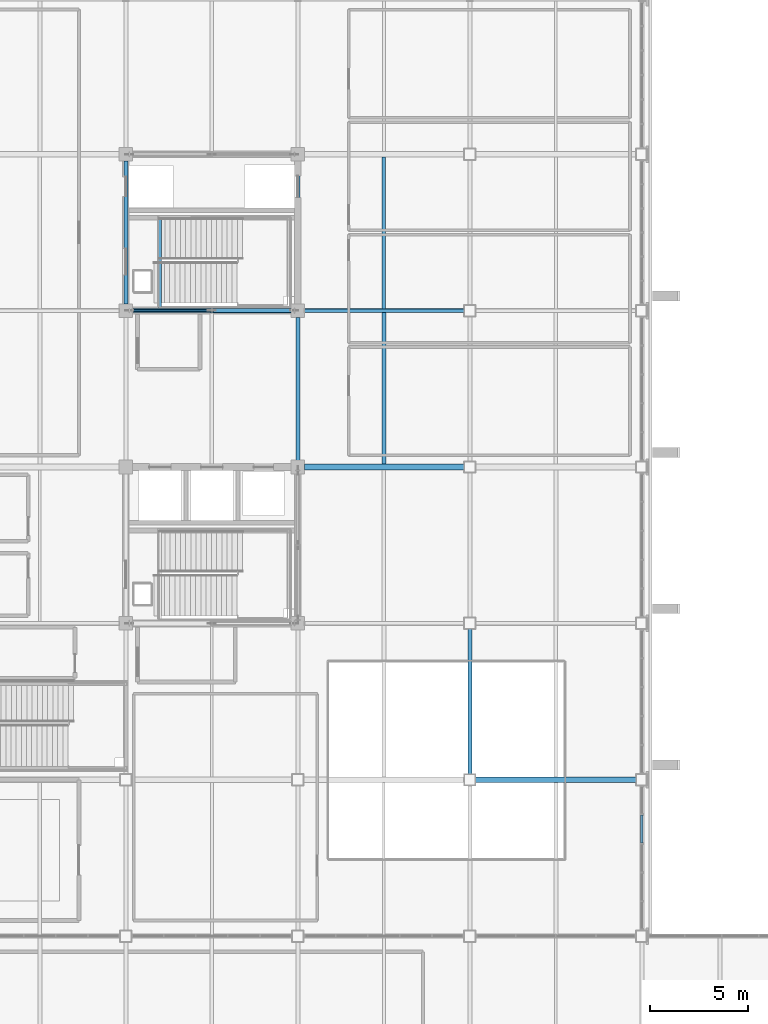
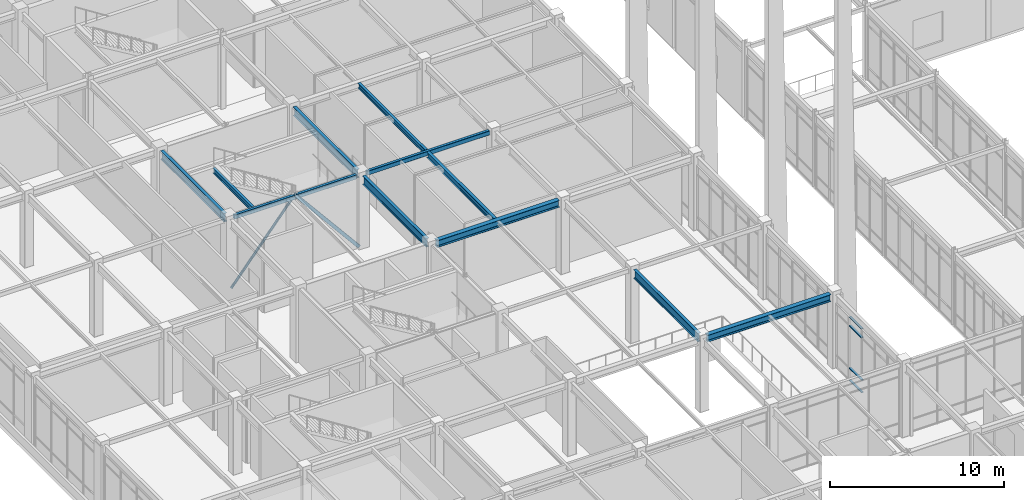
# One storey, part 39 of 184: 11 beams, 6 members, 1 element without a shape of its own.
"""IFC4 building model written with IfcOpenShell, lengths in metres."""

import ifcopenshell
import ifcopenshell.guid

model = None  # the IFC model being written
_history = None  # IfcOwnerHistory: only IFC2X3 demands one
_inside = {}  # id of a spatial element -> (the spatial element, [elements in it])
_under = {}  # id of a project, library or spatial element -> (it, [spatial elements below it])
_declared = {}  # id of a project -> (the project, [libraries it declares])
_typed = {}  # id of a type object -> (the type object, [elements of that type])
_made_of = {}  # id of a material, layer set ... -> (it, [elements and type objects made of it])


def new_model(schema):
    """Start an empty IFC model of exactly this schema.

    Asked for "IFC4X3", IfcOpenShell would pick the latest addendum, in which some entities
    have other attributes; the version numbers below select the first issue.
    IFC2X3 requires an IfcOwnerHistory on every rooted entity: one is made here for all.
    """
    global model, _history
    if schema == "IFC4X3":
        model = ifcopenshell.file(schema_version=(4, 3, 0, 0))
    else:
        model = ifcopenshell.file(schema=schema)
    _inside.clear()
    _under.clear()
    _declared.clear()
    _typed.clear()
    _made_of.clear()
    _history = None
    if model.schema == "IFC2X3":
        org = make("IfcOrganization", Name="unknown")
        user = make(
            "IfcPersonAndOrganization",
            ThePerson=make("IfcPerson", FamilyName="unknown"),
            TheOrganization=org,
        )
        app = make(
            "IfcApplication",
            ApplicationDeveloper=org,
            Version="unknown",
            ApplicationFullName="unknown",
            ApplicationIdentifier="unknown",
        )
        _history = make(
            "IfcOwnerHistory",
            OwningUser=user,
            OwningApplication=app,
            ChangeAction="ADDED",
            CreationDate=0,
        )
    return model


def make(cls, **values):
    """One entity of the class cls with the attributes given. An attribute that is None is left unset."""
    return model.create_entity(
        cls, **{name: value for name, value in values.items() if value is not None}
    )


def rooted(cls, **values):
    """An entity with a GlobalId (a new one), such as an element, a storey or a relation."""
    return make(cls, GlobalId=ifcopenshell.guid.new(), OwnerHistory=_history, **values)


def si_unit(unit_type, name, prefix=None):
    """IfcSIUnit, for example si_unit("LENGTHUNIT", "METRE", prefix="MILLI")."""
    return make("IfcSIUnit", UnitType=unit_type, Prefix=prefix, Name=name)


def assignment(units):
    """IfcUnitAssignment: the units of a project."""
    return None if units is None else make("IfcUnitAssignment", Units=units)


def point(xyz):
    """IfcCartesianPoint."""
    return None if xyz is None else make("IfcCartesianPoint", Coordinates=xyz)


def direction(xyz):
    """IfcDirection."""
    return None if xyz is None else make("IfcDirection", DirectionRatios=xyz)


def frame(location, z_axis=None, x_axis=None):
    """IfcAxis2Placement3D, a coordinate frame: its origin and axes. An axis left out is left unset."""
    return make(
        "IfcAxis2Placement3D",
        Location=point(location),
        Axis=direction(z_axis),
        RefDirection=direction(x_axis),
    )


def frame_2d(location, x_axis=None):
    """IfcAxis2Placement2D, a coordinate frame in the plane: its origin and x axis."""
    return make(
        "IfcAxis2Placement2D", Location=point(location), RefDirection=direction(x_axis)
    )


def origin():
    """The frame at (0, 0, 0) with its axes left unset."""
    return frame((0.0, 0.0, 0.0))


def origin_2d():
    """The frame at (0, 0) in the plane with its x axis left unset."""
    return frame_2d((0.0, 0.0))


def place(relative_to, where):
    """IfcLocalPlacement: puts the frame where relative to a parent placement (None: the world)."""
    return make(
        "IfcLocalPlacement", PlacementRelTo=relative_to, RelativePlacement=where
    )


def context(
    kind, dimensions, precision=None, world=None, true_north=None, identifier=None
):
    """IfcGeometricRepresentationContext, for example the 3D "Model" context."""
    return make(
        "IfcGeometricRepresentationContext",
        ContextIdentifier=identifier,
        ContextType=kind,
        CoordinateSpaceDimension=dimensions,
        Precision=precision,
        WorldCoordinateSystem=world,
        TrueNorth=true_north,
    )


def subcontext(parent, identifier, kind, view, scale=None):
    """IfcGeometricRepresentationSubContext, for example "Body" below "Model"."""
    return make(
        "IfcGeometricRepresentationSubContext",
        ContextIdentifier=identifier,
        ContextType=kind,
        ParentContext=parent,
        TargetScale=scale,
        TargetView=view,
    )


def project(units=None, contexts=None):
    """IfcProject with its units and contexts."""
    return rooted(
        "IfcProject",
        Name="project",
        RepresentationContexts=contexts,
        UnitsInContext=assignment(units),
    )


def spatial(cls, under=None, at=None, **own):
    """A site, building, storey or space (cls), placed at a placement, below another one or the project."""
    s = rooted(cls, ObjectPlacement=at, **own)
    if under is not None:
        _under.setdefault(under.id(), (under, []))[1].append(s)
    return s


def profile(cls, at=None, kind="AREA", **sizes):
    """A parametric profile (cls). Its sizes go by their IFC names, for example OverallWidth=200.0."""
    return make(cls, ProfileType=kind, Position=at, **sizes)


def rectangle(**sizes):
    """IfcRectangleProfileDef."""
    return profile("IfcRectangleProfileDef", **sizes)


def hollow_rectangle(**sizes):
    """IfcRectangleHollowProfileDef."""
    return profile("IfcRectangleHollowProfileDef", **sizes)


def hollow_circle(**sizes):
    """IfcCircleHollowProfileDef."""
    return profile("IfcCircleHollowProfileDef", **sizes)


def i_section(**sizes):
    """IfcIShapeProfileDef."""
    return profile("IfcIShapeProfileDef", **sizes)


def extrude(swept, where, along, depth):
    """IfcExtrudedAreaSolid: the profile swept, set in the frame where, extruded along a direction by depth."""
    return make(
        "IfcExtrudedAreaSolid",
        SweptArea=swept,
        Position=where,
        ExtrudedDirection=direction(along),
        Depth=depth,
    )


def shape(context_of_items, identifier, shape_type, items):
    """IfcShapeRepresentation: the items that make up one representation, for example the "Body"."""
    return make(
        "IfcShapeRepresentation",
        ContextOfItems=context_of_items,
        RepresentationIdentifier=identifier,
        RepresentationType=shape_type,
        Items=items,
    )


def material(Name=None, Category=None):
    """IfcMaterial."""
    return make("IfcMaterial", Name=Name, Category=Category)


def material_profile(
    of_material, cross_section, Name=None, Category=None, Priority=None
):
    """IfcMaterialProfile: a cross section and its material."""
    return make(
        "IfcMaterialProfile",
        Name=Name,
        Material=of_material,
        Profile=cross_section,
        Priority=Priority,
        Category=Category,
    )


def profile_set(profiles, Name=None, composite=None):
    """IfcMaterialProfileSet."""
    return make(
        "IfcMaterialProfileSet",
        Name=Name,
        MaterialProfiles=profiles,
        CompositeProfile=composite,
    )


def made_of(thing, what):
    """Note that an element or type object is made of a material, layer set ...; save() writes the relation."""
    if what is not None:
        _made_of.setdefault(what.id(), (what, []))[1].append(thing)
    return thing


def type_object(cls, material=None, **own):
    """A type object (cls), such as IfcWallType, which elements share."""
    return made_of(rooted(cls, **own), material)


def element(
    cls,
    number,
    at=None,
    inside=None,
    cuts=None,
    type_object=None,
    material=None,
    context=None,
    identifier="Body",
    shape_type=None,
    held_by="IfcProductDefinitionShape",
    body=None,
    shapes=None,
    **own,
):
    """One element of the class cls, such as IfcWall. Its Tag is "e" and its number.

    at: its placement. inside: the storey or other place that contains it. cuts: it is an
    opening in that element (IfcRelVoidsElement). A single representation is given by context,
    identifier, shape_type and body (its items); several are given by shapes. held_by: the class
    of the entity that holds the representations. save() writes the other relations.
    """
    e = rooted(cls, Tag="e%d" % number, ObjectPlacement=at, **own)
    if body is not None:
        shapes = [shape(context, identifier, shape_type, body)]
    if shapes is not None:
        e.Representation = make(held_by, Representations=shapes)
    if inside is not None:
        _inside.setdefault(inside.id(), (inside, []))[1].append(e)
    if cuts is not None:
        rooted(
            "IfcRelVoidsElement", RelatingBuildingElement=cuts, RelatedOpeningElement=e
        )
    if type_object is not None:
        _typed.setdefault(type_object.id(), (type_object, []))[1].append(e)
    return made_of(e, material)


def aggregate(whole, parts):
    """IfcRelAggregates: a whole, such as a stair, and the parts it consists of."""
    return rooted("IfcRelAggregates", RelatingObject=whole, RelatedObjects=parts)


def save(model, path):
    """Write the relations noted so far, then the file.

    IfcRelAggregates (storeys below a building ...), IfcRelContainedInSpatialStructure (elements
    in a storey), IfcRelDefinesByType, IfcRelAssociatesMaterial and IfcRelDeclares: one each for
    every whole, place, type object, material and project.
    """
    for whole, parts in _under.values():
        aggregate(whole, parts)
    for where, things in _inside.values():
        rooted(
            "IfcRelContainedInSpatialStructure",
            RelatedElements=things,
            RelatingStructure=where,
        )
    for kind, things in _typed.values():
        rooted("IfcRelDefinesByType", RelatedObjects=things, RelatingType=kind)
    for what, things in _made_of.values():
        rooted("IfcRelAssociatesMaterial", RelatedObjects=things, RelatingMaterial=what)
    for by, libraries in _declared.values():
        rooted("IfcRelDeclares", RelatingContext=by, RelatedDefinitions=libraries)
    model.write(path)


model = new_model("IFC4")

# Units and contexts
model_context = context("Model", 3, precision=1e-05, world=origin(), true_north=direction((0.0, 1.0)))
body_context = subcontext(model_context, "Body", "Model", "MODEL_VIEW")
ifc_project = project(units=[si_unit("LENGTHUNIT", "METRE"), si_unit("AREAUNIT", "SQUARE_METRE"), si_unit("VOLUMEUNIT", "CUBIC_METRE"), si_unit("PLANEANGLEUNIT", "RADIAN"), si_unit("MASSUNIT", "GRAM", prefix="KILO")], contexts=[model_context])

# Site, building, storey
site_placement = place(None, origin())
site = spatial("IfcSite", under=ifc_project, at=site_placement, CompositionType="ELEMENT")
building_placement = place(site_placement, origin())
building = spatial("IfcBuilding", under=site, at=building_placement, Name="Zhaolan Boulevard Law Courts", CompositionType="ELEMENT")
storey_placement = place(building_placement, frame((0.0, 0.0, 5.39990234375)))
storey = spatial("IfcBuildingStorey", under=building, at=storey_placement, Name="L01", CompositionType="ELEMENT", Elevation=5.39990234375)

# Member
ifc_material_1 = material(Name="Structural steel Q355B", Category="steel")
ifc_material_profile_1 = material_profile(ifc_material_1, hollow_rectangle(XDim=0.219970703125, YDim=0.219970703125, WallThickness=0.010009765625, InnerFilletRadius=0.010009765625, OuterFilletRadius=0.02001953125, at=origin_2d()), Name="HSS220x220x10")
ifc_profile_set_1 = profile_set([ifc_material_profile_1], Name="Structural steel Q355B")
member_type_1 = type_object("IfcMemberType", Name="BRACE HSS220", PredefinedType="BRACE", material=ifc_profile_set_1)
member_1_placement = place(storey_placement, frame((26.219970703125, 62.0, 0.030029296875), z_axis=(-0.638239277889, 0.0, 0.769838050605), x_axis=(0.0, -1.0, 0.0)))
element("IfcMember", 1, at=member_1_placement, inside=storey, type_object=member_type_1, Name="Core Brace BR-W2-L01-S2", PredefinedType="BRACE", context=body_context, shape_type="SweptSolid", body=[
    extrude(hollow_rectangle(XDim=0.219970703125, YDim=0.219970703125, WallThickness=0.010009765625, InnerFilletRadius=0.010009765625, OuterFilletRadius=0.02001953125, at=origin_2d()), origin(), (0.0, 0.0, 1.0), 6.61181640625),
])

# Curtain wall, members
ifc_material_2 = material(Name="Thermally broken aluminium and low-E glazing", Category="aluminium")
curtain_wall_type = type_object("IfcCurtainWallType", Name="CURTAIN WALL M1", PredefinedType="USERDEFINED", material=ifc_material_2)
curtain_wall_placement = place(storey_placement, origin())
curtain_wall = element("IfcCurtainWall", 2, at=curtain_wall_placement, inside=storey, type_object=curtain_wall_type, Name="Curtain Wall CW-L01-145", ObjectType="CURTAIN WALL", PredefinedType="USERDEFINED")
ifc_material_3 = material(Name="Fluorocarbon-coated aluminium 6063-T6", Category="aluminium")
ifc_material_profile_2 = material_profile(ifc_material_3, rectangle(XDim=0.139892578125, YDim=0.06494140625, at=origin_2d()), Name="AL65x140")
ifc_profile_set_2 = profile_set([ifc_material_profile_2], Name="Fluorocarbon-coated aluminium 6063-T6")
member_type_2 = type_object("IfcMemberType", Name="CWTRANSOM 65X140", PredefinedType="USERDEFINED", material=ifc_profile_set_2)
member_2_placement = place(storey_placement, frame((44.0, 34.772216796875, 0.03271484375), z_axis=(0.0, 1.0, 0.0), x_axis=(-1.0, 0.0, 0.0)))
member_2 = element("IfcMember", 3, at=member_2_placement, type_object=member_type_2, Name="CW-L01-145 transom 4.1", ObjectType="TRANSOM", PredefinedType="USERDEFINED", context=body_context, shape_type="SweptSolid", body=[
    extrude(rectangle(XDim=0.139892578125, YDim=0.06494140625, at=origin_2d()), origin(), (0.0, 0.0, 1.0), 1.4140625),
])
member_3_placement = place(storey_placement, frame((44.0, 34.772216796875, 0.900146484375), z_axis=(0.0, 1.0, 0.0), x_axis=(-1.0, 0.0, 0.0)))
member_3 = element("IfcMember", 4, at=member_3_placement, type_object=member_type_2, Name="CW-L01-145 transom 4.2", ObjectType="TRANSOM", PredefinedType="USERDEFINED", context=body_context, shape_type="SweptSolid", body=[
    extrude(rectangle(XDim=0.139892578125, YDim=0.06494140625, at=origin_2d()), origin(), (0.0, 0.0, 1.0), 1.4140625),
])
member_4_placement = place(storey_placement, frame((44.0, 34.772216796875, 3.873046875), z_axis=(0.0, 1.0, 0.0), x_axis=(-1.0, 0.0, 0.0)))
member_4 = element("IfcMember", 5, at=member_4_placement, type_object=member_type_2, Name="CW-L01-145 transom 4.3", ObjectType="TRANSOM", PredefinedType="USERDEFINED", context=body_context, shape_type="SweptSolid", body=[
    extrude(rectangle(XDim=0.139892578125, YDim=0.06494140625, at=origin_2d()), origin(), (0.0, 0.0, 1.0), 1.4140625),
])
member_5_placement = place(storey_placement, frame((44.0, 34.772216796875, 4.490478515625), z_axis=(0.0, 1.0, 0.0), x_axis=(-1.0, 0.0, 0.0)))
member_5 = element("IfcMember", 6, at=member_5_placement, type_object=member_type_2, Name="CW-L01-145 transom 4.4", ObjectType="TRANSOM", PredefinedType="USERDEFINED", context=body_context, shape_type="SweptSolid", body=[
    extrude(rectangle(XDim=0.139892578125, YDim=0.06494140625, at=origin_2d()), origin(), (0.0, 0.0, 1.0), 1.4140625),
])
aggregate(curtain_wall, [member_2, member_3, member_4, member_5])

# Beams
ifc_material_4 = material(Name="Structural steel Q355B", Category="steel")
ifc_material_profile_3 = material_profile(ifc_material_4, i_section(OverallWidth=0.300048828125, OverallDepth=0.488037109375, WebThickness=0.010986328125, FlangeThickness=0.01806640625, FilletRadius=0.02197265625, at=origin_2d()), Name="HM488x300")
ifc_profile_set_3 = profile_set([ifc_material_profile_3], Name="Structural steel Q355B")
beam_type_1 = type_object("IfcBeamType", Name="GIRDER HM500", PredefinedType="BEAM", material=ifc_profile_set_3)
beam_1_placement = place(storey_placement, frame((35.49609375, 38.0, 4.89404296875), z_axis=(1.0, 0.0, 0.0), x_axis=(0.0, 1.0, 0.0)))
element("IfcBeam", 7, at=beam_1_placement, inside=storey, type_object=beam_type_1, Name="Beam BX-L02-5-6-F", PredefinedType="BEAM", context=body_context, shape_type="SweptSolid", body=[
    extrude(i_section(OverallWidth=0.300048828125, OverallDepth=0.488037109375, WebThickness=0.010986328125, FlangeThickness=0.01806640625, FilletRadius=0.02197265625, at=origin_2d()), origin(), (0.0, 0.0, 1.0), 8.2080078125),
])
beam_2_placement = place(storey_placement, frame((26.74609375, 54.0, 4.89404296875), z_axis=(1.0, 0.0, 0.0), x_axis=(0.0, 1.0, 0.0)))
element("IfcBeam", 8, at=beam_2_placement, inside=storey, type_object=beam_type_1, Name="Beam BX-L02-4-5-H", PredefinedType="BEAM", context=body_context, shape_type="SweptSolid", body=[
    extrude(i_section(OverallWidth=0.300048828125, OverallDepth=0.488037109375, WebThickness=0.010986328125, FlangeThickness=0.01806640625, FilletRadius=0.02197265625, at=origin_2d()), origin(), (0.0, 0.0, 1.0), 8.157958984375),
])
ifc_material_5 = material(Name="Structural steel Q355B", Category="steel")
ifc_material_profile_4 = material_profile(ifc_material_5, i_section(OverallWidth=0.199951171875, OverallDepth=0.60009765625, WebThickness=0.010986328125, FlangeThickness=0.01708984375, FilletRadius=0.02001953125, at=origin_2d()), Name="HN600x200")
ifc_profile_set_4 = profile_set([ifc_material_profile_4], Name="Structural steel Q355B")
beam_type_2 = type_object("IfcBeamType", Name="GIRDER HN600", PredefinedType="BEAM", material=ifc_profile_set_4)
for number, where, z_axis, x_axis, name in (
    (9, (17.60009765625, 62.345947265625, 4.838134765625), (0.0, 1.0, 0.0), (-1.0, 0.0, 0.0), "Beam BY-L02-3-J-K"),
    (10, (26.39990234375, 54.345947265625, 4.838134765625), (0.0, 1.0, 0.0), (-1.0, 0.0, 0.0), "Beam BY-L02-4-H-J"),
    (11, (26.39990234375, 62.345947265625, 4.838134765625), (0.0, 1.0, 0.0), (-1.0, 0.0, 0.0), "Beam BY-L02-4-J-K"),
):
    element("IfcBeam", number, at=place(storey_placement, frame(where, z_axis=z_axis, x_axis=x_axis)), inside=storey, type_object=beam_type_2, Name=name, PredefinedType="BEAM", context=body_context, shape_type="SweptSolid", body=[
        extrude(i_section(OverallWidth=0.199951171875, OverallDepth=0.60009765625, WebThickness=0.010986328125, FlangeThickness=0.01708984375, FilletRadius=0.02001953125, at=origin_2d()), origin(), (0.0, 0.0, 1.0), 7.30810546875),
    ])
beam_3_placement = place(storey_placement, frame((35.199951171875, 38.2958984375, 4.838134765625), z_axis=(0.0, 1.0, 0.0), x_axis=(-1.0, 0.0, 0.0)))
element("IfcBeam", 12, at=beam_3_placement, inside=storey, type_object=beam_type_2, Name="Beam BY-L02-5-F-G", PredefinedType="BEAM", context=body_context, shape_type="SweptSolid", body=[
    extrude(i_section(OverallWidth=0.199951171875, OverallDepth=0.60009765625, WebThickness=0.010986328125, FlangeThickness=0.01708984375, FilletRadius=0.02001953125, at=origin_2d()), origin(), (0.0, 0.0, 1.0), 7.408203125),
])
ifc_material_6 = material(Name="Structural steel Q355B", Category="steel")
ifc_material_profile_5 = material_profile(ifc_material_6, i_section(OverallWidth=0.175048828125, OverallDepth=0.35009765625, WebThickness=0.007080078125, FlangeThickness=0.010986328125, FilletRadius=0.012939453125, at=origin_2d()), Name="HN350x175")
ifc_profile_set_5 = profile_set([ifc_material_profile_5], Name="Structural steel Q355B")
beam_type_3 = type_object("IfcBeamType", Name="JOIST HN350", PredefinedType="JOIST", material=ifc_profile_set_5)
beam_4_placement = place(storey_placement, frame((30.800048828125, 62.095947265625, 4.963134765625), z_axis=(0.0, 1.0, 0.0), x_axis=(-1.0, 0.0, 0.0)))
element("IfcBeam", 13, at=beam_4_placement, inside=storey, type_object=beam_type_3, Name="Composite Joist J-L02-4J", PredefinedType="JOIST", context=body_context, shape_type="SweptSolid", body=[
    extrude(i_section(OverallWidth=0.175048828125, OverallDepth=0.35009765625, WebThickness=0.007080078125, FlangeThickness=0.010986328125, FilletRadius=0.012939453125, at=origin_2d()), origin(), (0.0, 0.0, 1.0), 7.758056640625),
])
ifc_material_7 = material(Name="Structural steel Q355B", Category="steel")
ifc_material_profile_6 = material_profile(ifc_material_7, i_section(OverallWidth=0.199951171875, OverallDepth=0.39990234375, WebThickness=0.008056640625, FlangeThickness=0.012939453125, FilletRadius=0.013916015625, at=origin_2d()), Name="HN400x200")
ifc_profile_set_6 = profile_set([ifc_material_profile_6], Name="Structural steel Q355B")
beam_type_4 = type_object("IfcBeamType", Name="JOIST HN400", PredefinedType="JOIST", material=ifc_profile_set_6)
beam_5_placement = place(storey_placement, frame((30.800048828125, 54.14599609375, 4.93798828125), z_axis=(0.0, 1.0, 0.0), x_axis=(-1.0, 0.0, 0.0)))
element("IfcBeam", 14, at=beam_5_placement, inside=storey, type_object=beam_type_4, Name="Composite Joist J-L02-4H", PredefinedType="JOIST", context=body_context, shape_type="SweptSolid", body=[
    extrude(i_section(OverallWidth=0.199951171875, OverallDepth=0.39990234375, WebThickness=0.008056640625, FlangeThickness=0.012939453125, FilletRadius=0.013916015625, at=origin_2d()), origin(), (0.0, 0.0, 1.0), 7.758056640625),
])
ifc_material_8 = material(Name="Structural steel Q355B", Category="steel")
ifc_material_profile_7 = material_profile(ifc_material_8, hollow_rectangle(XDim=0.199951171875, YDim=0.300048828125, WallThickness=0.011962890625, InnerFilletRadius=0.011962890625, OuterFilletRadius=0.02392578125, at=origin_2d()), Name="HSS300x200x12")
ifc_profile_set_7 = profile_set([ifc_material_profile_7], Name="Structural steel Q355B")
beam_type_5 = type_object("IfcBeamType", Name="SPANDREL HSS300", PredefinedType="SPANDREL", material=ifc_profile_set_7)
beam_6_placement = place(storey_placement, frame((17.946044921875, 62.0, 4.988037109375), z_axis=(1.0, 0.0, 0.0), x_axis=(0.0, 1.0, 0.0)))
element("IfcBeam", 15, at=beam_6_placement, inside=storey, type_object=beam_type_5, Name="Beam BX-L02-3-4-J", PredefinedType="SPANDREL", context=body_context, shape_type="SweptSolid", body=[
    extrude(hollow_rectangle(XDim=0.199951171875, YDim=0.300048828125, WallThickness=0.011962890625, InnerFilletRadius=0.011962890625, OuterFilletRadius=0.02392578125, at=origin_2d()), origin(), (0.0, 0.0, 1.0), 8.10791015625),
])
beam_7_placement = place(storey_placement, frame((26.74609375, 62.0, 4.988037109375), z_axis=(1.0, 0.0, 0.0), x_axis=(0.0, 1.0, 0.0)))
element("IfcBeam", 16, at=beam_7_placement, inside=storey, type_object=beam_type_5, Name="Beam BX-L02-4-5-J", PredefinedType="SPANDREL", context=body_context, shape_type="SweptSolid", body=[
    extrude(hollow_rectangle(XDim=0.199951171875, YDim=0.300048828125, WallThickness=0.011962890625, InnerFilletRadius=0.011962890625, OuterFilletRadius=0.02392578125, at=origin_2d()), origin(), (0.0, 0.0, 1.0), 8.157958984375),
])
ifc_material_9 = material(Name="Structural steel Q355B", Category="steel")
ifc_material_profile_8 = material_profile(ifc_material_9, i_section(OverallWidth=0.175048828125, OverallDepth=0.35009765625, WebThickness=0.007080078125, FlangeThickness=0.010986328125, FilletRadius=0.012939453125, at=origin_2d()), Name="HN350x175")
ifc_profile_set_8 = profile_set([ifc_material_profile_8], Name="Structural steel Q355B")
beam_type_6 = type_object("IfcBeamType", Name="STAIR TRIMMER HN350", PredefinedType="BEAM", material=ifc_profile_set_8)
beam_8_placement = place(storey_placement, frame((19.3349609375, 62.1650390625, 4.93505859375), z_axis=(0.0, 1.0, 0.0), x_axis=(-1.0, 0.0, 0.0)))
element("IfcBeam", 17, at=beam_8_placement, inside=storey, type_object=beam_type_6, Name="Stair Landing Trimmer Beam STB-ST02-L02", PredefinedType="BEAM", context=body_context, shape_type="SweptSolid", body=[
    extrude(i_section(OverallWidth=0.175048828125, OverallDepth=0.35009765625, WebThickness=0.007080078125, FlangeThickness=0.010986328125, FilletRadius=0.012939453125, at=origin_2d()), origin(), (0.0, 0.0, 1.0), 4.544921875),
])

# Member
ifc_material_10 = material(Name="Structural steel Q355B", Category="steel")
ifc_material_profile_9 = material_profile(ifc_material_10, hollow_circle(Radius=0.083984375, WallThickness=0.008056640625, at=origin_2d()), Name="CHS168x8")
ifc_profile_set_9 = profile_set([ifc_material_profile_9], Name="Structural steel Q355B")
member_type_3 = type_object("IfcMemberType", Name="STRUT CHS168", PredefinedType="BRACE", material=ifc_profile_set_9)
member_6_placement = place(storey_placement, frame((17.780029296875, 62.0, 0.030029296875), z_axis=(0.638239277889, 0.0, 0.769838050605), x_axis=(0.0, 1.0, 0.0)))
element("IfcMember", 18, at=member_6_placement, inside=storey, type_object=member_type_3, Name="Core Brace BR-W2-L01-S1", PredefinedType="BRACE", context=body_context, shape_type="SweptSolid", body=[
    extrude(hollow_circle(Radius=0.083984375, WallThickness=0.008056640625, at=origin_2d()), origin(), (0.0, 0.0, 1.0), 6.61181640625),
])

save(model, "model.ifc")
